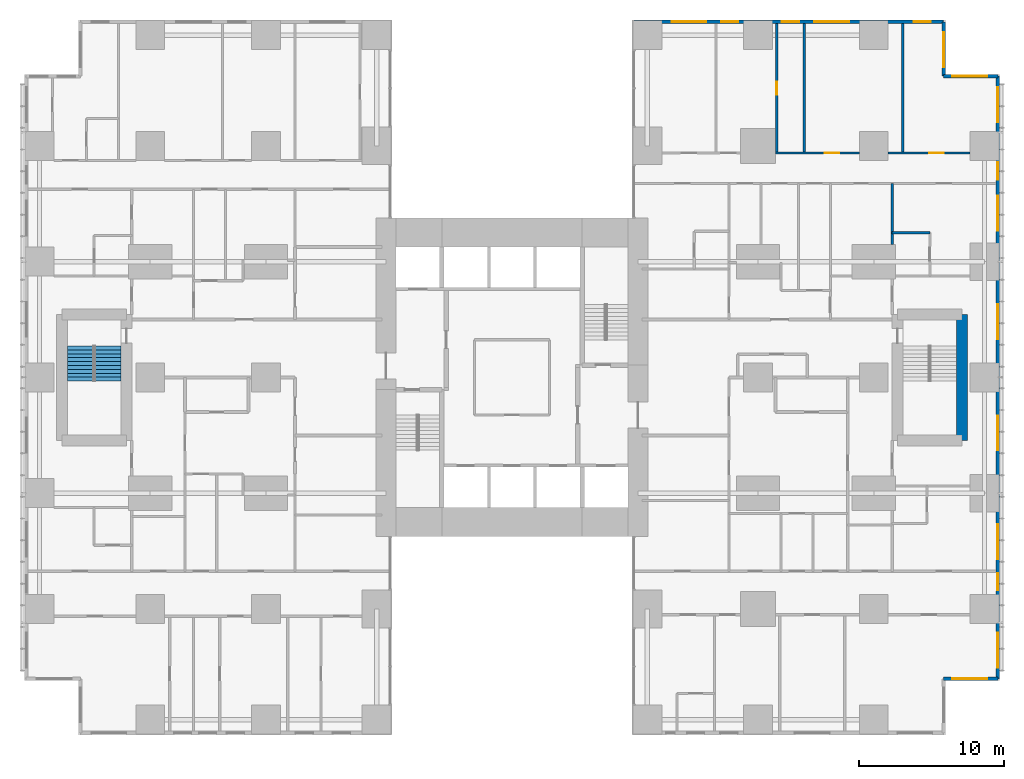
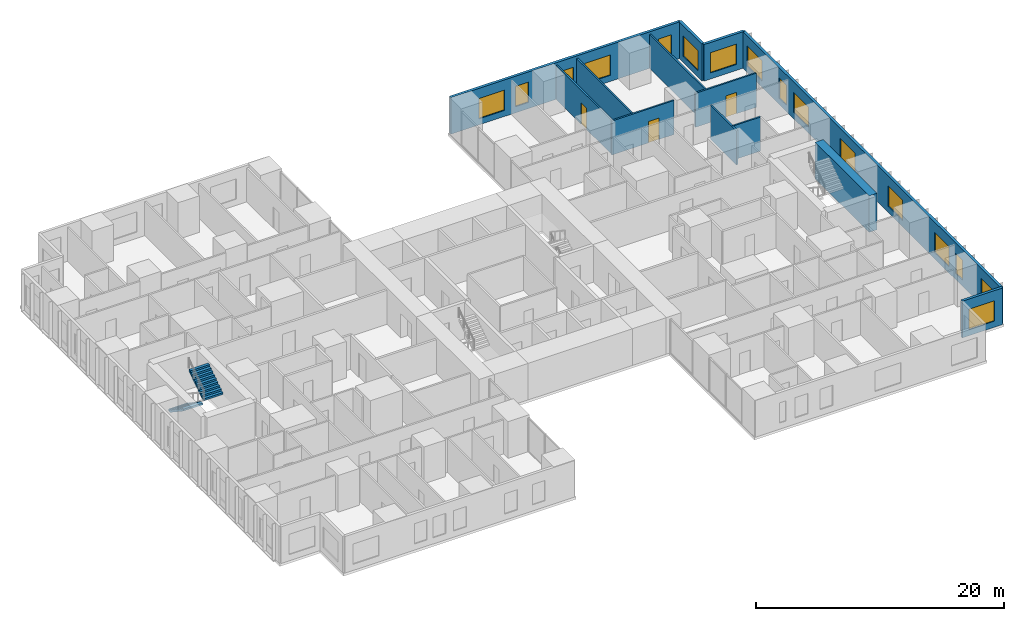
# One storey, part 18 of 20: 16 windows, 13 walls, 3 doors, 2 stair flights, 19 openings, 1 element without a shape of its own.
"""IFC4 building model written with IfcOpenShell, lengths in metres."""

from ifc_helpers import new_model, si_unit, direction, frame, frame_2d, origin, place, context, subcontext, project, spatial, polyline, rectangle, outline, extrude, material, layer, layer_set, type_object, element, fill, aggregate, save


model = new_model("IFC4")

# Units and contexts
model_context = context("Model", 3, precision=1e-05, world=origin(), true_north=direction((0.0, 1.0)))
body_context = subcontext(model_context, "Body", "Model", "MODEL_VIEW")
ifc_project = project(units=[si_unit("LENGTHUNIT", "METRE"), si_unit("AREAUNIT", "SQUARE_METRE"), si_unit("VOLUMEUNIT", "CUBIC_METRE"), si_unit("PLANEANGLEUNIT", "RADIAN"), si_unit("MASSUNIT", "GRAM", prefix="KILO")], contexts=[model_context])

# Site, building, storey
site_placement = place(None, origin())
site = spatial("IfcSite", under=ifc_project, at=site_placement, CompositionType="ELEMENT")
building_placement = place(site_placement, origin())
building = spatial("IfcBuilding", under=site, at=building_placement, Name="Cleftline Residences", CompositionType="ELEMENT")
storey_placement = place(building_placement, frame((0.0, 0.0, 33.199951171875)))
storey = spatial("IfcBuildingStorey", under=building, at=storey_placement, Name="L07", CompositionType="ELEMENT", Elevation=33.199951171875)

# Wall, opening, window
ifc_material_1 = material(Name="Rendered reinforced concrete blockwork", Category="masonry")
ifc_layer_1 = layer(ifc_material_1, 0.25)
ifc_layer_set_1 = layer_set([ifc_layer_1], Name="EXTERNAL WALL 250")
wall_type_1 = type_object("IfcWallType", Name="EXTERNAL WALL 250", PredefinedType="SOLIDWALL", material=ifc_layer_set_1)
wall_1_placement = place(storey_placement, frame((62.824951171875, 3.175048828125, 0.0), z_axis=(0.0, 0.0, 1.0), x_axis=(1.0, 0.0, 0.0)))
wall_1 = element("IfcWall", 1, at=wall_1_placement, inside=storey, type_object=wall_type_1, Name="External wall", PredefinedType="SOLIDWALL", context=body_context, shape_type="SweptSolid", body=[
    extrude(rectangle(XDim=3.75, YDim=0.25, at=frame_2d((1.875, 0.0))), origin(), (0.0, 0.0, 1.0), 3.60009765625),
])
opening_1_placement = place(wall_1_placement, frame((0.612548828125, 0.0, 0.60009765625)))
opening_1 = element("IfcOpeningElement", 2, at=opening_1_placement, cuts=wall_1, Name="Opening W6", PredefinedType="OPENING", context=body_context, shape_type="SweptSolid", body=[
    extrude(rectangle(XDim=2.39990234375, YDim=2.0, at=frame_2d((1.199951171875, 1.0))), frame((0.0, 0.135009765625, 0.0), z_axis=(0.0, -1.0, 0.0), x_axis=(1.0, 0.0, 0.0)), (0.0, 0.0, 1.0), 0.27001953125),
])
ifc_material_2 = material(Name="Aluminium frame, clear double glazing", Category="aluminium")
window_type_1 = type_object("IfcWindowType", Name="WINDOW 2400X2000", PartitioningType="DOUBLE_PANEL_VERTICAL", PredefinedType="WINDOW", material=ifc_material_2)
window_1_placement = place(opening_1_placement, origin())
window_1 = element("IfcWindow", 3, at=window_1_placement, inside=storey, type_object=window_type_1, Name="Window", OverallHeight=2.0, OverallWidth=2.39990234375, PartitioningType="SINGLE_PANEL", PredefinedType="WINDOW", context=body_context, shape_type="SweptSolid", body=[
    extrude(rectangle(XDim=2.39990234375, YDim=2.0, at=frame_2d((1.199951171875, 1.0))), frame((0.0, 0.030029296875, 0.0), z_axis=(0.0, -1.0, 0.0), x_axis=(1.0, 0.0, 0.0)), (0.0, 0.0, 1.0), 0.06005859375),
])
fill(opening_1, window_1)

# Wall, openings, windows
wall_2_placement = place(storey_placement, frame((66.574951171875, 3.175048828125, 0.0), z_axis=(0.0, 0.0, 1.0), x_axis=(0.0, 1.0, 0.0)))
wall_2 = element("IfcWall", 4, at=wall_2_placement, inside=storey, type_object=wall_type_1, Name="External wall", PredefinedType="SOLIDWALL", context=body_context, shape_type="SweptSolid", body=[
    extrude(rectangle(XDim=41.64990234375, YDim=0.25, at=frame_2d((20.824951171875, 0.0))), origin(), (0.0, 0.0, 1.0), 3.60009765625),
])
opening_2_placement = place(wall_2_placement, frame((0.77490234375, 0.0, 0.60009765625)))
opening_2 = element("IfcOpeningElement", 5, at=opening_2_placement, cuts=wall_2, Name="Opening W6", PredefinedType="OPENING", context=body_context, shape_type="SweptSolid", body=[
    extrude(rectangle(XDim=2.39990234375, YDim=2.0, at=frame_2d((1.199951171875, 1.0))), frame((0.0, 0.135009765625, 0.0), z_axis=(0.0, -1.0, 0.0), x_axis=(1.0, 0.0, 0.0)), (0.0, 0.0, 1.0), 0.27001953125),
])
opening_3_placement = place(wall_2_placement, frame((6.10009765625, 0.0, 0.60009765625)))
opening_3 = element("IfcOpeningElement", 6, at=opening_3_placement, cuts=wall_2, Name="Opening W8", PredefinedType="OPENING", context=body_context, shape_type="SweptSolid", body=[
    extrude(rectangle(XDim=1.199951171875, YDim=2.0, at=frame_2d((0.60009765625, 1.0))), frame((0.0, 0.135009765625, 0.0), z_axis=(0.0, -1.0, 0.0), x_axis=(1.0, 0.0, 0.0)), (0.0, 0.0, 1.0), 0.27001953125),
])
opening_4_placement = place(wall_2_placement, frame((8.27490234375, 0.0, 0.60009765625)))
opening_4 = element("IfcOpeningElement", 7, at=opening_4_placement, cuts=wall_2, Name="Opening W6", PredefinedType="OPENING", context=body_context, shape_type="SweptSolid", body=[
    extrude(rectangle(XDim=2.39990234375, YDim=2.0, at=frame_2d((1.199951171875, 1.0))), frame((0.0, 0.135009765625, 0.0), z_axis=(0.0, -1.0, 0.0), x_axis=(1.0, 0.0, 0.0)), (0.0, 0.0, 1.0), 0.27001953125),
])
opening_5_placement = place(wall_2_placement, frame((15.77490234375, 0.0, 0.60009765625)))
opening_5 = element("IfcOpeningElement", 8, at=opening_5_placement, cuts=wall_2, Name="Opening W6", PredefinedType="OPENING", context=body_context, shape_type="SweptSolid", body=[
    extrude(rectangle(XDim=2.39990234375, YDim=2.0, at=frame_2d((1.199951171875, 1.0))), frame((0.0, 0.135009765625, 0.0), z_axis=(0.0, -1.0, 0.0), x_axis=(1.0, 0.0, 0.0)), (0.0, 0.0, 1.0), 0.27001953125),
])
opening_6_placement = place(wall_2_placement, frame((23.47509765625, 0.0, 0.60009765625)))
opening_6 = element("IfcOpeningElement", 9, at=opening_6_placement, cuts=wall_2, Name="Opening W6", PredefinedType="OPENING", context=body_context, shape_type="SweptSolid", body=[
    extrude(rectangle(XDim=2.39990234375, YDim=2.0, at=frame_2d((1.199951171875, 1.0))), frame((0.0, 0.135009765625, 0.0), z_axis=(0.0, -1.0, 0.0), x_axis=(1.0, 0.0, 0.0)), (0.0, 0.0, 1.0), 0.27001953125),
])
opening_7_placement = place(wall_2_placement, frame((30.97509765625, 0.0, 0.60009765625)))
opening_7 = element("IfcOpeningElement", 10, at=opening_7_placement, cuts=wall_2, Name="Opening W6", PredefinedType="OPENING", context=body_context, shape_type="SweptSolid", body=[
    extrude(rectangle(XDim=2.39990234375, YDim=2.0, at=frame_2d((1.199951171875, 1.0))), frame((0.0, 0.135009765625, 0.0), z_axis=(0.0, -1.0, 0.0), x_axis=(1.0, 0.0, 0.0)), (0.0, 0.0, 1.0), 0.27001953125),
])
opening_8_placement = place(wall_2_placement, frame((34.5, 0.0, 0.60009765625)))
opening_8 = element("IfcOpeningElement", 11, at=opening_8_placement, cuts=wall_2, Name="Opening W8", PredefinedType="OPENING", context=body_context, shape_type="SweptSolid", body=[
    extrude(rectangle(XDim=1.199951171875, YDim=2.0, at=frame_2d((0.60009765625, 1.0))), frame((0.0, 0.135009765625, 0.0), z_axis=(0.0, -1.0, 0.0), x_axis=(1.0, 0.0, 0.0)), (0.0, 0.0, 1.0), 0.27001953125),
])
opening_9_placement = place(wall_2_placement, frame((38.47509765625, 0.0, 0.60009765625)))
opening_9 = element("IfcOpeningElement", 12, at=opening_9_placement, cuts=wall_2, Name="Opening W6", PredefinedType="OPENING", context=body_context, shape_type="SweptSolid", body=[
    extrude(rectangle(XDim=2.39990234375, YDim=2.0, at=frame_2d((1.199951171875, 1.0))), frame((0.0, 0.135009765625, 0.0), z_axis=(0.0, -1.0, 0.0), x_axis=(1.0, 0.0, 0.0)), (0.0, 0.0, 1.0), 0.27001953125),
])
ifc_material_3 = material(Name="Aluminium frame, clear double glazing", Category="aluminium")
window_type_2 = type_object("IfcWindowType", Name="WINDOW 1200X2000", PartitioningType="DOUBLE_PANEL_VERTICAL", PredefinedType="WINDOW", material=ifc_material_3)
window_2_placement = place(opening_3_placement, origin())
window_2 = element("IfcWindow", 13, at=window_2_placement, inside=storey, type_object=window_type_2, Name="Window", OverallHeight=2.0, OverallWidth=1.199951171875, PartitioningType="SINGLE_PANEL", PredefinedType="WINDOW", context=body_context, shape_type="SweptSolid", body=[
    extrude(rectangle(XDim=1.199951171875, YDim=2.0, at=frame_2d((0.60009765625, 1.0))), frame((0.0, 0.030029296875, 0.0), z_axis=(0.0, -1.0, 0.0), x_axis=(1.0, 0.0, 0.0)), (0.0, 0.0, 1.0), 0.06005859375),
])
fill(opening_3, window_2)
window_3_placement = place(opening_8_placement, origin())
window_3 = element("IfcWindow", 14, at=window_3_placement, inside=storey, type_object=window_type_2, Name="Window", OverallHeight=2.0, OverallWidth=1.199951171875, PartitioningType="SINGLE_PANEL", PredefinedType="WINDOW", context=body_context, shape_type="SweptSolid", body=[
    extrude(rectangle(XDim=1.199951171875, YDim=2.0, at=frame_2d((0.60009765625, 1.0))), frame((0.0, 0.030029296875, 0.0), z_axis=(0.0, -1.0, 0.0), x_axis=(1.0, 0.0, 0.0)), (0.0, 0.0, 1.0), 0.06005859375),
])
fill(opening_8, window_3)
window_4_placement = place(opening_2_placement, origin())
window_4 = element("IfcWindow", 15, at=window_4_placement, inside=storey, type_object=window_type_1, Name="Window", OverallHeight=2.0, OverallWidth=2.39990234375, PartitioningType="SINGLE_PANEL", PredefinedType="WINDOW", context=body_context, shape_type="SweptSolid", body=[
    extrude(rectangle(XDim=2.39990234375, YDim=2.0, at=frame_2d((1.199951171875, 1.0))), frame((0.0, 0.030029296875, 0.0), z_axis=(0.0, -1.0, 0.0), x_axis=(1.0, 0.0, 0.0)), (0.0, 0.0, 1.0), 0.06005859375),
])
fill(opening_2, window_4)
window_5_placement = place(opening_4_placement, origin())
window_5 = element("IfcWindow", 16, at=window_5_placement, inside=storey, type_object=window_type_1, Name="Window", OverallHeight=2.0, OverallWidth=2.39990234375, PartitioningType="SINGLE_PANEL", PredefinedType="WINDOW", context=body_context, shape_type="SweptSolid", body=[
    extrude(rectangle(XDim=2.39990234375, YDim=2.0, at=frame_2d((1.199951171875, 1.0))), frame((0.0, 0.030029296875, 0.0), z_axis=(0.0, -1.0, 0.0), x_axis=(1.0, 0.0, 0.0)), (0.0, 0.0, 1.0), 0.06005859375),
])
fill(opening_4, window_5)
window_6_placement = place(opening_5_placement, origin())
window_6 = element("IfcWindow", 17, at=window_6_placement, inside=storey, type_object=window_type_1, Name="Window", OverallHeight=2.0, OverallWidth=2.39990234375, PartitioningType="SINGLE_PANEL", PredefinedType="WINDOW", context=body_context, shape_type="SweptSolid", body=[
    extrude(rectangle(XDim=2.39990234375, YDim=2.0, at=frame_2d((1.199951171875, 1.0))), frame((0.0, 0.030029296875, 0.0), z_axis=(0.0, -1.0, 0.0), x_axis=(1.0, 0.0, 0.0)), (0.0, 0.0, 1.0), 0.06005859375),
])
fill(opening_5, window_6)
window_7_placement = place(opening_6_placement, origin())
window_7 = element("IfcWindow", 18, at=window_7_placement, inside=storey, type_object=window_type_1, Name="Window", OverallHeight=2.0, OverallWidth=2.39990234375, PartitioningType="SINGLE_PANEL", PredefinedType="WINDOW", context=body_context, shape_type="SweptSolid", body=[
    extrude(rectangle(XDim=2.39990234375, YDim=2.0, at=frame_2d((1.199951171875, 1.0))), frame((0.0, 0.030029296875, 0.0), z_axis=(0.0, -1.0, 0.0), x_axis=(1.0, 0.0, 0.0)), (0.0, 0.0, 1.0), 0.06005859375),
])
fill(opening_6, window_7)
window_8_placement = place(opening_7_placement, origin())
window_8 = element("IfcWindow", 19, at=window_8_placement, inside=storey, type_object=window_type_1, Name="Window", OverallHeight=2.0, OverallWidth=2.39990234375, PartitioningType="SINGLE_PANEL", PredefinedType="WINDOW", context=body_context, shape_type="SweptSolid", body=[
    extrude(rectangle(XDim=2.39990234375, YDim=2.0, at=frame_2d((1.199951171875, 1.0))), frame((0.0, 0.030029296875, 0.0), z_axis=(0.0, -1.0, 0.0), x_axis=(1.0, 0.0, 0.0)), (0.0, 0.0, 1.0), 0.06005859375),
])
fill(opening_7, window_8)
window_9_placement = place(opening_9_placement, origin())
window_9 = element("IfcWindow", 20, at=window_9_placement, inside=storey, type_object=window_type_1, Name="Window", OverallHeight=2.0, OverallWidth=2.39990234375, PartitioningType="SINGLE_PANEL", PredefinedType="WINDOW", context=body_context, shape_type="SweptSolid", body=[
    extrude(rectangle(XDim=2.39990234375, YDim=2.0, at=frame_2d((1.199951171875, 1.0))), frame((0.0, 0.030029296875, 0.0), z_axis=(0.0, -1.0, 0.0), x_axis=(1.0, 0.0, 0.0)), (0.0, 0.0, 1.0), 0.06005859375),
])
fill(opening_9, window_9)

# Wall, opening, window
wall_3_placement = place(storey_placement, frame((66.574951171875, 44.824951171875, 0.0), z_axis=(0.0, 0.0, 1.0), x_axis=(-1.0, 0.0, 0.0)))
wall_3 = element("IfcWall", 21, at=wall_3_placement, inside=storey, type_object=wall_type_1, Name="External wall", PredefinedType="SOLIDWALL", context=body_context, shape_type="SweptSolid", body=[
    extrude(rectangle(XDim=3.75, YDim=0.25, at=frame_2d((1.875, 0.0))), origin(), (0.0, 0.0, 1.0), 3.60009765625),
])
opening_10_placement = place(wall_3_placement, frame((0.737548828125, 0.0, 0.60009765625)))
opening_10 = element("IfcOpeningElement", 22, at=opening_10_placement, cuts=wall_3, Name="Opening W6", PredefinedType="OPENING", context=body_context, shape_type="SweptSolid", body=[
    extrude(rectangle(XDim=2.39990234375, YDim=2.0, at=frame_2d((1.199951171875, 1.0))), frame((0.0, 0.135009765625, 0.0), z_axis=(0.0, -1.0, 0.0), x_axis=(1.0, 0.0, 0.0)), (0.0, 0.0, 1.0), 0.27001953125),
])
window_10_placement = place(opening_10_placement, origin())
window_10 = element("IfcWindow", 23, at=window_10_placement, inside=storey, type_object=window_type_1, Name="Window", OverallHeight=2.0, OverallWidth=2.39990234375, PartitioningType="SINGLE_PANEL", PredefinedType="WINDOW", context=body_context, shape_type="SweptSolid", body=[
    extrude(rectangle(XDim=2.39990234375, YDim=2.0, at=frame_2d((1.199951171875, 1.0))), frame((0.0, 0.030029296875, 0.0), z_axis=(0.0, -1.0, 0.0), x_axis=(1.0, 0.0, 0.0)), (0.0, 0.0, 1.0), 0.06005859375),
])
fill(opening_10, window_10)

wall_4_placement = place(storey_placement, frame((62.824951171875, 44.824951171875, 0.0), z_axis=(0.0, 0.0, 1.0), x_axis=(0.0, 1.0, 0.0)))
wall_4 = element("IfcWall", 24, at=wall_4_placement, inside=storey, type_object=wall_type_1, Name="External wall", PredefinedType="SOLIDWALL", context=body_context, shape_type="SweptSolid", body=[
    extrude(rectangle(XDim=3.75, YDim=0.25, at=frame_2d((1.875, 0.0))), origin(), (0.0, 0.0, 1.0), 3.60009765625),
])
opening_11_placement = place(wall_4_placement, frame((0.612548828125, 0.0, 0.60009765625)))
opening_11 = element("IfcOpeningElement", 25, at=opening_11_placement, cuts=wall_4, Name="Opening W6", PredefinedType="OPENING", context=body_context, shape_type="SweptSolid", body=[
    extrude(rectangle(XDim=2.39990234375, YDim=2.0, at=frame_2d((1.199951171875, 1.0))), frame((0.0, 0.135009765625, 0.0), z_axis=(0.0, -1.0, 0.0), x_axis=(1.0, 0.0, 0.0)), (0.0, 0.0, 1.0), 0.27001953125),
])
window_11_placement = place(opening_11_placement, origin())
window_11 = element("IfcWindow", 26, at=window_11_placement, inside=storey, type_object=window_type_1, Name="Window", OverallHeight=2.0, OverallWidth=2.39990234375, PartitioningType="SINGLE_PANEL", PredefinedType="WINDOW", context=body_context, shape_type="SweptSolid", body=[
    extrude(rectangle(XDim=2.39990234375, YDim=2.0, at=frame_2d((1.199951171875, 1.0))), frame((0.0, 0.030029296875, 0.0), z_axis=(0.0, -1.0, 0.0), x_axis=(1.0, 0.0, 0.0)), (0.0, 0.0, 1.0), 0.06005859375),
])
fill(opening_11, window_11)

# Wall, openings, windows
wall_5_placement = place(storey_placement, frame((62.824951171875, 48.574951171875, 0.0), z_axis=(0.0, 0.0, 1.0), x_axis=(-1.0, 0.0, 0.0)))
wall_5 = element("IfcWall", 27, at=wall_5_placement, inside=storey, type_object=wall_type_1, Name="External wall", PredefinedType="SOLIDWALL", context=body_context, shape_type="SweptSolid", body=[
    extrude(rectangle(XDim=21.39990234375, YDim=0.25, at=frame_2d((10.699951171875, 0.0))), origin(), (0.0, 0.0, 1.0), 3.60009765625),
])
opening_12_placement = place(wall_5_placement, frame((0.875, 0.0, 0.60009765625)))
opening_12 = element("IfcOpeningElement", 28, at=opening_12_placement, cuts=wall_5, Name="Opening W8", PredefinedType="OPENING", context=body_context, shape_type="SweptSolid", body=[
    extrude(rectangle(XDim=1.199951171875, YDim=2.0, at=frame_2d((0.60009765625, 1.0))), frame((0.0, 0.135009765625, 0.0), z_axis=(0.0, -1.0, 0.0), x_axis=(1.0, 0.0, 0.0)), (0.0, 0.0, 1.0), 0.27001953125),
])
opening_13_placement = place(wall_5_placement, frame((6.52490234375, 0.0, 0.60009765625)))
opening_13 = element("IfcOpeningElement", 29, at=opening_13_placement, cuts=wall_5, Name="Opening W6", PredefinedType="OPENING", context=body_context, shape_type="SweptSolid", body=[
    extrude(rectangle(XDim=2.39990234375, YDim=2.0, at=frame_2d((1.199951171875, 1.0))), frame((0.0, 0.135009765625, 0.0), z_axis=(0.0, -1.0, 0.0), x_axis=(1.0, 0.0, 0.0)), (0.0, 0.0, 1.0), 0.27001953125),
])
opening_14_placement = place(wall_5_placement, frame((9.97509765625, 0.0, 0.60009765625)))
opening_14 = element("IfcOpeningElement", 30, at=opening_14_placement, cuts=wall_5, Name="Opening W8", PredefinedType="OPENING", context=body_context, shape_type="SweptSolid", body=[
    extrude(rectangle(XDim=1.199951171875, YDim=2.0, at=frame_2d((0.60009765625, 1.0))), frame((0.0, 0.135009765625, 0.0), z_axis=(0.0, -1.0, 0.0), x_axis=(1.0, 0.0, 0.0)), (0.0, 0.0, 1.0), 0.27001953125),
])
opening_15_placement = place(wall_5_placement, frame((14.175048828125, 0.0, 0.60009765625)))
opening_15 = element("IfcOpeningElement", 31, at=opening_15_placement, cuts=wall_5, Name="Opening W8", PredefinedType="OPENING", context=body_context, shape_type="SweptSolid", body=[
    extrude(rectangle(XDim=1.199951171875, YDim=2.0, at=frame_2d((0.60009765625, 1.0))), frame((0.0, 0.135009765625, 0.0), z_axis=(0.0, -1.0, 0.0), x_axis=(1.0, 0.0, 0.0)), (0.0, 0.0, 1.0), 0.27001953125),
])
opening_16_placement = place(wall_5_placement, frame((16.39990234375, 0.0, 0.60009765625)))
opening_16 = element("IfcOpeningElement", 32, at=opening_16_placement, cuts=wall_5, Name="Opening W6", PredefinedType="OPENING", context=body_context, shape_type="SweptSolid", body=[
    extrude(rectangle(XDim=2.39990234375, YDim=2.0, at=frame_2d((1.199951171875, 1.0))), frame((0.0, 0.135009765625, 0.0), z_axis=(0.0, -1.0, 0.0), x_axis=(1.0, 0.0, 0.0)), (0.0, 0.0, 1.0), 0.27001953125),
])
window_12_placement = place(opening_12_placement, origin())
window_12 = element("IfcWindow", 33, at=window_12_placement, inside=storey, type_object=window_type_2, Name="Window", OverallHeight=2.0, OverallWidth=1.199951171875, PartitioningType="SINGLE_PANEL", PredefinedType="WINDOW", context=body_context, shape_type="SweptSolid", body=[
    extrude(rectangle(XDim=1.199951171875, YDim=2.0, at=frame_2d((0.60009765625, 1.0))), frame((0.0, 0.030029296875, 0.0), z_axis=(0.0, -1.0, 0.0), x_axis=(1.0, 0.0, 0.0)), (0.0, 0.0, 1.0), 0.06005859375),
])
fill(opening_12, window_12)
window_13_placement = place(opening_14_placement, origin())
window_13 = element("IfcWindow", 34, at=window_13_placement, inside=storey, type_object=window_type_2, Name="Window", OverallHeight=2.0, OverallWidth=1.199951171875, PartitioningType="SINGLE_PANEL", PredefinedType="WINDOW", context=body_context, shape_type="SweptSolid", body=[
    extrude(rectangle(XDim=1.199951171875, YDim=2.0, at=frame_2d((0.60009765625, 1.0))), frame((0.0, 0.030029296875, 0.0), z_axis=(0.0, -1.0, 0.0), x_axis=(1.0, 0.0, 0.0)), (0.0, 0.0, 1.0), 0.06005859375),
])
fill(opening_14, window_13)
window_14_placement = place(opening_15_placement, origin())
window_14 = element("IfcWindow", 35, at=window_14_placement, inside=storey, type_object=window_type_2, Name="Window", OverallHeight=2.0, OverallWidth=1.199951171875, PartitioningType="SINGLE_PANEL", PredefinedType="WINDOW", context=body_context, shape_type="SweptSolid", body=[
    extrude(rectangle(XDim=1.199951171875, YDim=2.0, at=frame_2d((0.60009765625, 1.0))), frame((0.0, 0.030029296875, 0.0), z_axis=(0.0, -1.0, 0.0), x_axis=(1.0, 0.0, 0.0)), (0.0, 0.0, 1.0), 0.06005859375),
])
fill(opening_15, window_14)
window_15_placement = place(opening_13_placement, origin())
window_15 = element("IfcWindow", 36, at=window_15_placement, inside=storey, type_object=window_type_1, Name="Window", OverallHeight=2.0, OverallWidth=2.39990234375, PartitioningType="SINGLE_PANEL", PredefinedType="WINDOW", context=body_context, shape_type="SweptSolid", body=[
    extrude(rectangle(XDim=2.39990234375, YDim=2.0, at=frame_2d((1.199951171875, 1.0))), frame((0.0, 0.030029296875, 0.0), z_axis=(0.0, -1.0, 0.0), x_axis=(1.0, 0.0, 0.0)), (0.0, 0.0, 1.0), 0.06005859375),
])
fill(opening_13, window_15)
window_16_placement = place(opening_16_placement, origin())
window_16 = element("IfcWindow", 37, at=window_16_placement, inside=storey, type_object=window_type_1, Name="Window", OverallHeight=2.0, OverallWidth=2.39990234375, PartitioningType="SINGLE_PANEL", PredefinedType="WINDOW", context=body_context, shape_type="SweptSolid", body=[
    extrude(rectangle(XDim=2.39990234375, YDim=2.0, at=frame_2d((1.199951171875, 1.0))), frame((0.0, 0.030029296875, 0.0), z_axis=(0.0, -1.0, 0.0), x_axis=(1.0, 0.0, 0.0)), (0.0, 0.0, 1.0), 0.06005859375),
])
fill(opening_16, window_16)

# Wall
ifc_material_4 = material(Name="Gypsum board on steel studs", Category="steel")
ifc_layer_2 = layer(ifc_material_4, 0.14990234375)
ifc_layer_set_2 = layer_set([ifc_layer_2], Name="PARTITION 150")
wall_type_2 = type_object("IfcWallType", Name="PARTITION 150", PredefinedType="PARTITIONING", material=ifc_layer_set_2)
wall_6_placement = place(storey_placement, frame((59.27490234375, 34.0, 0.0), z_axis=(0.0, 0.0, 1.0), x_axis=(1.0, 0.0, 0.0)))
element("IfcWall", 38, at=wall_6_placement, inside=storey, type_object=wall_type_2, Name="Partition", PredefinedType="PARTITIONING", context=body_context, shape_type="SweptSolid", body=[
    extrude(rectangle(XDim=2.60009765625, YDim=0.14990234375, at=frame_2d((1.300048828125, 0.0))), origin(), (0.0, 0.0, 1.0), 3.35009765625),
])

# Wall, opening, door
wall_7_placement = place(storey_placement, frame((51.199951171875, 39.5, 0.0), z_axis=(0.0, 0.0, 1.0), x_axis=(1.0, 0.0, 0.0)))
wall_7 = element("IfcWall", 39, at=wall_7_placement, inside=storey, type_object=wall_type_2, Name="Partition", PredefinedType="PARTITIONING", context=body_context, shape_type="SweptSolid", body=[
    extrude(rectangle(XDim=5.800048828125, YDim=0.14990234375, at=frame_2d((2.89990234375, 0.0))), origin(), (0.0, 0.0, 1.0), 3.35009765625),
])
opening_17_placement = place(wall_7_placement, frame((3.39990234375, 0.0, 0.0)))
opening_17 = element("IfcOpeningElement", 40, at=opening_17_placement, cuts=wall_7, Name="Opening D2", PredefinedType="OPENING", context=body_context, shape_type="SweptSolid", body=[
    extrude(rectangle(XDim=1.0, YDim=2.10009765625, at=frame_2d((0.5, 1.050048828125))), frame((0.0, 0.0849609375, 0.0), z_axis=(0.0, -1.0, 0.0), x_axis=(1.0, 0.0, 0.0)), (0.0, 0.0, 1.0), 0.169921875),
])
ifc_material_5 = material(Name="Timber veneer on solid core", Category="wood")
door_type_1 = type_object("IfcDoorType", Name="DOOR 1000X2100", OperationType="SINGLE_SWING_LEFT", PredefinedType="DOOR", material=ifc_material_5)
door_1_placement = place(opening_17_placement, origin())
door_1 = element("IfcDoor", 41, at=door_1_placement, inside=storey, type_object=door_type_1, Name="Door to living room", OperationType="SINGLE_SWING_LEFT", OverallHeight=2.10009765625, OverallWidth=1.0, PredefinedType="DOOR", context=body_context, shape_type="SweptSolid", body=[
    extrude(rectangle(XDim=1.0, YDim=2.10009765625, at=frame_2d((0.5, 1.050048828125))), frame((0.0, 0.02490234375, 0.0), z_axis=(0.0, -1.0, 0.0), x_axis=(1.0, 0.0, 0.0)), (0.0, 0.0, 1.0), 0.050048828125),
])
fill(opening_17, door_1)

wall_8_placement = place(storey_placement, frame((59.0, 39.5, 0.0), z_axis=(0.0, 0.0, 1.0), x_axis=(1.0, 0.0, 0.0)))
wall_8 = element("IfcWall", 42, at=wall_8_placement, inside=storey, type_object=wall_type_2, Name="Partition", PredefinedType="PARTITIONING", context=body_context, shape_type="SweptSolid", body=[
    extrude(rectangle(XDim=5.64990234375, YDim=0.14990234375, at=frame_2d((2.824951171875, 0.0))), origin(), (0.0, 0.0, 1.0), 3.35009765625),
])
opening_18_placement = place(wall_8_placement, frame((2.824951171875, 0.0, 0.0)))
opening_18 = element("IfcOpeningElement", 43, at=opening_18_placement, cuts=wall_8, Name="Opening D2", PredefinedType="OPENING", context=body_context, shape_type="SweptSolid", body=[
    extrude(rectangle(XDim=1.0, YDim=2.10009765625, at=frame_2d((0.5, 1.050048828125))), frame((0.0, 0.0849609375, 0.0), z_axis=(0.0, -1.0, 0.0), x_axis=(1.0, 0.0, 0.0)), (0.0, 0.0, 1.0), 0.169921875),
])
door_2_placement = place(opening_18_placement, origin())
door_2 = element("IfcDoor", 44, at=door_2_placement, inside=storey, type_object=door_type_1, Name="Door to winter garden", OperationType="SINGLE_SWING_LEFT", OverallHeight=2.10009765625, OverallWidth=1.0, PredefinedType="DOOR", context=body_context, shape_type="SweptSolid", body=[
    extrude(rectangle(XDim=1.0, YDim=2.10009765625, at=frame_2d((0.5, 1.050048828125))), frame((0.0, 0.02490234375, 0.0), z_axis=(0.0, -1.0, 0.0), x_axis=(1.0, 0.0, 0.0)), (0.0, 0.0, 1.0), 0.050048828125),
])
fill(opening_18, door_2)

wall_9_placement = place(storey_placement, frame((51.300048828125, 39.5, 0.0), z_axis=(0.0, 0.0, 1.0), x_axis=(0.0, 1.0, 0.0)))
wall_9 = element("IfcWall", 45, at=wall_9_placement, inside=storey, type_object=wall_type_2, Name="Partition", PredefinedType="PARTITIONING", context=body_context, shape_type="SweptSolid", body=[
    extrude(rectangle(XDim=8.949951171875, YDim=0.14990234375, at=frame_2d((4.47509765625, 0.0))), origin(), (0.0, 0.0, 1.0), 3.35009765625),
])
opening_19_placement = place(wall_9_placement, frame((4.02490234375, 0.0, 0.0)))
opening_19 = element("IfcOpeningElement", 46, at=opening_19_placement, cuts=wall_9, Name="Opening D1", PredefinedType="OPENING", context=body_context, shape_type="SweptSolid", body=[
    extrude(rectangle(XDim=0.89990234375, YDim=2.10009765625, at=frame_2d((0.449951171875, 1.050048828125))), frame((0.0, 0.0849609375, 0.0), z_axis=(0.0, -1.0, 0.0), x_axis=(1.0, 0.0, 0.0)), (0.0, 0.0, 1.0), 0.169921875),
])
ifc_material_6 = material(Name="Timber veneer on solid core", Category="wood")
door_type_2 = type_object("IfcDoorType", Name="DOOR 900X2100", OperationType="SINGLE_SWING_LEFT", PredefinedType="DOOR", material=ifc_material_6)
door_3_placement = place(opening_19_placement, origin())
door_3 = element("IfcDoor", 47, at=door_3_placement, inside=storey, type_object=door_type_2, Name="Door to en-suite bathroom 2", OperationType="SINGLE_SWING_LEFT", OverallHeight=2.10009765625, OverallWidth=0.89990234375, PredefinedType="DOOR", context=body_context, shape_type="SweptSolid", body=[
    extrude(rectangle(XDim=0.89990234375, YDim=2.10009765625, at=frame_2d((0.449951171875, 1.050048828125))), frame((0.0, 0.02490234375, 0.0), z_axis=(0.0, -1.0, 0.0), x_axis=(1.0, 0.0, 0.0)), (0.0, 0.0, 1.0), 0.050048828125),
])
fill(opening_19, door_3)

# Walls
wall_10_placement = place(storey_placement, frame((53.199951171875, 39.5, 0.0), z_axis=(0.0, 0.0, 1.0), x_axis=(0.0, 1.0, 0.0)))
element("IfcWall", 48, at=wall_10_placement, inside=storey, type_object=wall_type_2, Name="Partition", PredefinedType="PARTITIONING", context=body_context, shape_type="SweptSolid", body=[
    extrude(rectangle(XDim=8.949951171875, YDim=0.14990234375, at=frame_2d((4.47509765625, 0.0))), origin(), (0.0, 0.0, 1.0), 3.35009765625),
])
wall_11_placement = place(storey_placement, frame((59.27490234375, 33.199951171875, 0.0), z_axis=(0.0, 0.0, 1.0), x_axis=(0.0, 1.0, 0.0)))
element("IfcWall", 49, at=wall_11_placement, inside=storey, type_object=wall_type_2, Name="Partition", PredefinedType="PARTITIONING", context=body_context, shape_type="SweptSolid", body=[
    extrude(rectangle(XDim=4.199951171875, YDim=0.14990234375, at=frame_2d((2.10009765625, 0.0))), origin(), (0.0, 0.0, 1.0), 3.35009765625),
])
wall_12_placement = place(storey_placement, frame((60.0, 39.5, 0.0), z_axis=(0.0, 0.0, 1.0), x_axis=(0.0, 1.0, 0.0)))
element("IfcWall", 50, at=wall_12_placement, inside=storey, type_object=wall_type_2, Name="Partition", PredefinedType="PARTITIONING", context=body_context, shape_type="SweptSolid", body=[
    extrude(rectangle(XDim=8.949951171875, YDim=0.14990234375, at=frame_2d((4.47509765625, 0.0))), origin(), (0.0, 0.0, 1.0), 3.35009765625),
])
ifc_material_7 = material(Name="Concrete B70", Category="concrete")
ifc_layer_3 = layer(ifc_material_7, 0.75)
ifc_layer_set_3 = layer_set([ifc_layer_3], Name="SHEAR WALL 750")
wall_type_3 = type_object("IfcWallType", Name="SHEAR WALL 750", PredefinedType="SHEAR", material=ifc_layer_set_3)
wall_13_placement = place(storey_placement, frame((64.10009765625, 19.64990234375, 0.0), z_axis=(0.0, 0.0, 1.0), x_axis=(0.0, 1.0, 0.0)))
element("IfcWall", 51, at=wall_13_placement, inside=storey, type_object=wall_type_3, Name="Wing shear wall", PredefinedType="SHEAR", context=body_context, shape_type="SweptSolid", body=[
    extrude(rectangle(XDim=8.7001953125, YDim=0.75, at=frame_2d((4.35009765625, 0.0))), origin(), (0.0, 0.0, 1.0), 3.60009765625),
])

# Stair, stair flights
ifc_material_8 = material(Name="Concrete B45, stone treads", Category="masonry")
stair_type = type_object("IfcStairType", Name="STAIR W 1800 WIDE 180 RISER", PredefinedType="HALF_TURN_STAIR", material=ifc_material_8)
stair_placement = place(storey_placement, origin())
stair = element("IfcStair", 52, at=stair_placement, inside=storey, type_object=stair_type, Name="Stair W L07", PredefinedType="HALF_TURN_STAIR")
ifc_material_9 = material(Name="Concrete B45", Category="concrete")
stair_flight_type = type_object("IfcStairFlightType", Name="STAIR W FLIGHT 1800X180", PredefinedType="STRAIGHT", material=ifc_material_9)
stair_flight_1_placement = place(storey_placement, frame((3.175048828125, 26.175048828125, 0.0), z_axis=(0.0, 0.0, 1.0), x_axis=(0.0, -1.0, 0.0)))
stair_flight_1 = element("IfcStairFlight", 53, at=stair_flight_1_placement, type_object=stair_flight_type, Name="ST-W flight 1", NumberOfRisers=10, NumberOfTreads=9, PredefinedType="STRAIGHT", RiserHeight=0.18, TreadLength=0.27, context=body_context, shape_type="SweptSolid", body=[
    extrude(outline(polyline([(0.0, 0.0), (0.0, 0.013916015625), (0.0, 0.027587890625), (0.0, 0.04150390625), (0.0, 0.055419921875), (0.0, 0.0693359375), (0.0, 0.0830078125), (0.0, 0.096923828125), (0.0, 0.11083984375), (0.0, 0.12451171875), (0.0, 0.138427734375), (0.0, 0.15234375), (0.0, 0.166259765625), (0.0, 0.179931640625), (0.27001953125, 0.179931640625), (0.27001953125, 0.360107421875), (0.5400390625, 0.360107421875), (0.5400390625, 0.5400390625), (0.81005859375, 0.5400390625), (0.81005859375, 0.719970703125), (1.080078125, 0.719970703125), (1.080078125, 0.89990234375), (1.35009765625, 0.89990234375), (1.35009765625, 1.080078125), (1.6201171875, 1.080078125), (1.6201171875, 1.260009765625), (1.889892578125, 1.260009765625), (1.889892578125, 1.43994140625), (2.159912109375, 1.43994140625), (2.159912109375, 1.6201171875), (2.429931640625, 1.6201171875), (2.429931640625, 1.800048828125), (2.429931640625, 1.772216796875), (2.429931640625, 1.74462890625), (2.429931640625, 1.716796875), (2.429931640625, 1.689208984375), (2.429931640625, 1.661376953125), (2.429931640625, 1.6337890625), (2.429931640625, 1.60595703125), (2.429931640625, 1.578369140625), (2.429931640625, 1.550537109375), (2.429931640625, 1.52294921875), (2.429931640625, 1.495361328125), (2.429931640625, 1.467529296875), (2.429931640625, 1.43994140625), (0.270263671875, 0.0), (0.0, 0.0)])), frame((0.0, 0.89990234375, 0.0), z_axis=(0.0, -1.0, 0.0), x_axis=(1.0, 0.0, 0.0)), (0.0, 0.0, 1.0), 1.800048828125),
])
stair_flight_2_placement = place(storey_placement, frame((5.074951171875, 23.7451171875, 1.800048828125), z_axis=(0.0, 0.0, 1.0), x_axis=(0.0, 1.0, 0.0)))
stair_flight_2 = element("IfcStairFlight", 54, at=stair_flight_2_placement, type_object=stair_flight_type, Name="ST-W flight 2", NumberOfRisers=10, NumberOfTreads=9, PredefinedType="STRAIGHT", RiserHeight=0.18, TreadLength=0.27, context=body_context, shape_type="SweptSolid", body=[
    extrude(outline(polyline([(0.0, 0.0), (0.0, 0.013916015625), (0.0, 0.027587890625), (0.0, 0.04150390625), (0.0, 0.055419921875), (0.0, 0.0693359375), (0.0, 0.0830078125), (0.0, 0.096923828125), (0.0, 0.11083984375), (0.0, 0.12451171875), (0.0, 0.138427734375), (0.0, 0.15234375), (0.0, 0.166259765625), (0.0, 0.179931640625), (0.27001953125, 0.179931640625), (0.27001953125, 0.360107421875), (0.5400390625, 0.360107421875), (0.5400390625, 0.5400390625), (0.81005859375, 0.5400390625), (0.81005859375, 0.719970703125), (1.080078125, 0.719970703125), (1.080078125, 0.89990234375), (1.35009765625, 0.89990234375), (1.35009765625, 1.080078125), (1.6201171875, 1.080078125), (1.6201171875, 1.260009765625), (1.889892578125, 1.260009765625), (1.889892578125, 1.43994140625), (2.159912109375, 1.43994140625), (2.159912109375, 1.6201171875), (2.429931640625, 1.6201171875), (2.429931640625, 1.800048828125), (2.429931640625, 1.772216796875), (2.429931640625, 1.74462890625), (2.429931640625, 1.716796875), (2.429931640625, 1.689208984375), (2.429931640625, 1.661376953125), (2.429931640625, 1.6337890625), (2.429931640625, 1.60595703125), (2.429931640625, 1.578369140625), (2.429931640625, 1.550537109375), (2.429931640625, 1.52294921875), (2.429931640625, 1.495361328125), (2.429931640625, 1.467529296875), (2.429931640625, 1.43994140625), (0.270263671875, 0.0), (0.0, 0.0)])), frame((0.0, 0.89990234375, 0.0), z_axis=(0.0, -1.0, 0.0), x_axis=(1.0, 0.0, 0.0)), (0.0, 0.0, 1.0), 1.800048828125),
])
aggregate(stair, [stair_flight_1, stair_flight_2])

save(model, "model.ifc")
